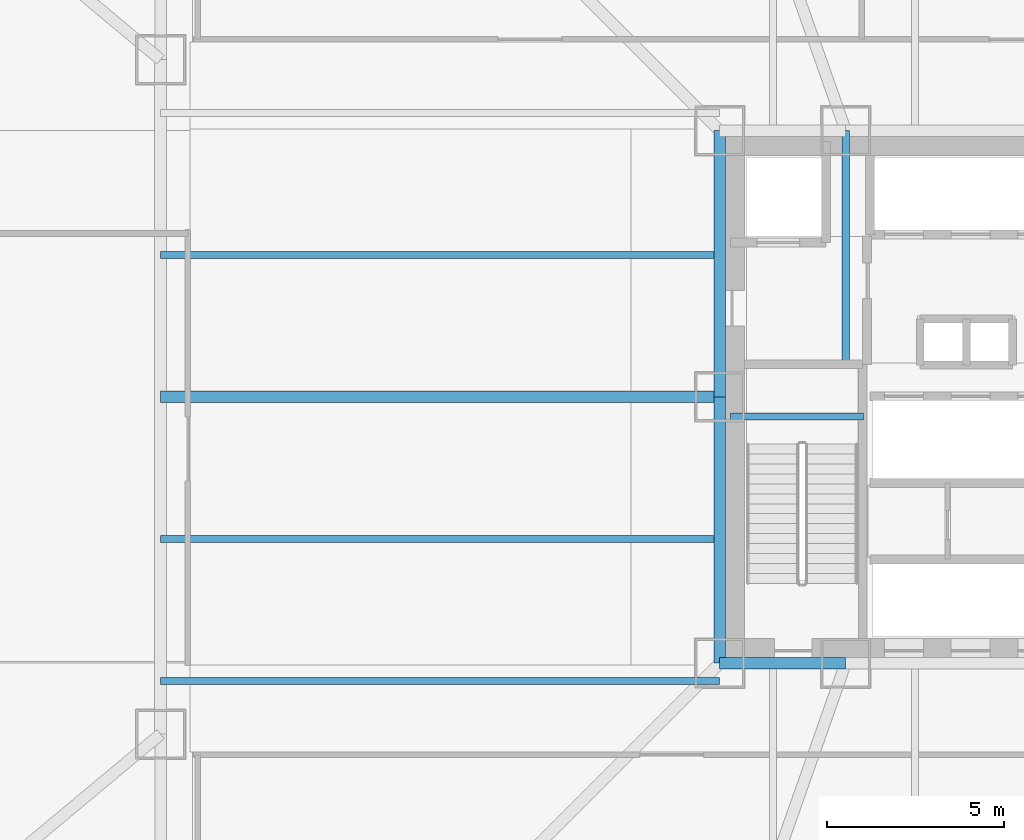
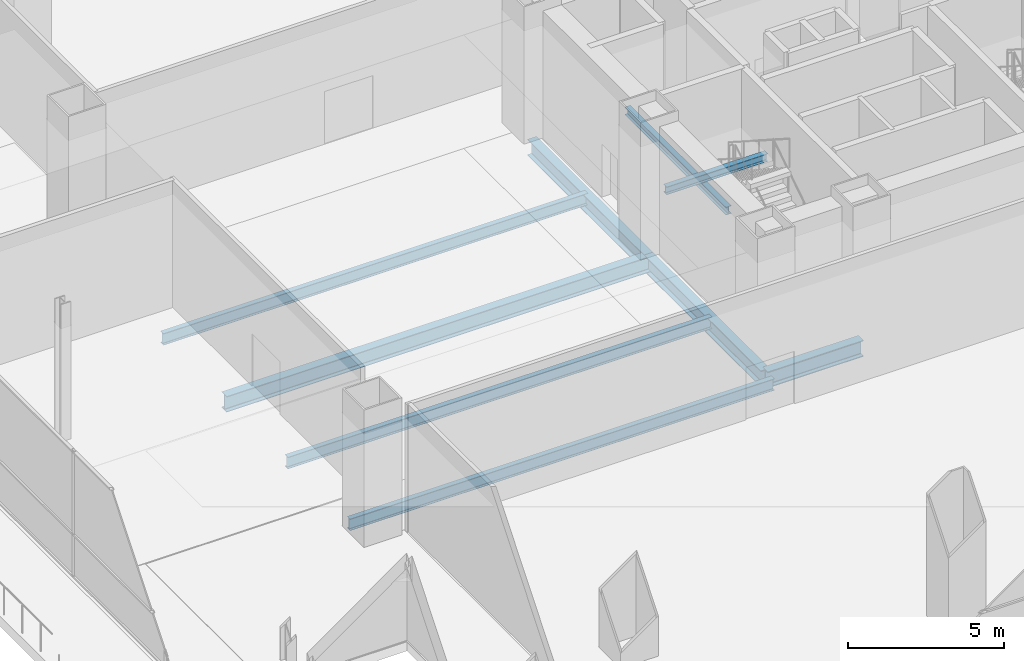
# One storey, part 8 of 36: 9 beams.
"""IFC4 building model written with IfcOpenShell, lengths in metres."""

from ifc_helpers import new_model, si_unit, direction, frame, origin, origin_2d, place, context, subcontext, project, spatial, i_section, extrude, material, material_profile, profile_set, type_object, element, save


model = new_model("IFC4")

# Units and contexts
model_context = context("Model", 3, precision=1e-05, world=origin(), true_north=direction((0.0, 1.0)))
body_context = subcontext(model_context, "Body", "Model", "MODEL_VIEW")
ifc_project = project(units=[si_unit("LENGTHUNIT", "METRE"), si_unit("AREAUNIT", "SQUARE_METRE"), si_unit("VOLUMEUNIT", "CUBIC_METRE"), si_unit("PLANEANGLEUNIT", "RADIAN"), si_unit("MASSUNIT", "GRAM", prefix="KILO")], contexts=[model_context])

# Site, building, storey
site_placement = place(None, origin())
site = spatial("IfcSite", under=ifc_project, at=site_placement, CompositionType="ELEMENT")
building_placement = place(site_placement, origin())
building = spatial("IfcBuilding", under=site, at=building_placement, Name="Trevonay Congress Spire", CompositionType="ELEMENT")
storey_placement = place(building_placement, frame((0.0, 0.0, 16.199951171875)))
storey = spatial("IfcBuildingStorey", under=building, at=storey_placement, Name="L03", CompositionType="ELEMENT", Elevation=16.199951171875)

# Beams
ifc_material = material(Name="Steel ASTM A572 Grade 50", Category="steel")
ifc_material_profile_1 = material_profile(ifc_material, i_section(OverallWidth=0.324951171875, OverallDepth=0.615966796875, WebThickness=0.013916015625, FlangeThickness=0.021484375, FilletRadius=0.01806640625, at=origin_2d()), Name="W610x174")
ifc_profile_set_1 = profile_set([ifc_material_profile_1], Name="Steel ASTM A572 Grade 50")
beam_type_1 = type_object("IfcBeamType", Name="BM-GIRD-W610X174", PredefinedType="BEAM", material=ifc_profile_set_1)
beam_1_placement = place(storey_placement, frame((-7.5, 0.0, -0.7080078125), z_axis=(-1.0, 0.0, 0.0), x_axis=(0.0, -1.0, 0.0)))
element("IfcBeam", 1, at=beam_1_placement, inside=storey, type_object=beam_type_1, Name="L03 structural beam BM-L03-RAD-WC", PredefinedType="BEAM", context=body_context, shape_type="SweptSolid", body=[
    extrude(i_section(OverallWidth=0.324951171875, OverallDepth=0.615966796875, WebThickness=0.013916015625, FlangeThickness=0.021484375, FilletRadius=0.01806640625, at=origin_2d()), origin(), (0.0, 0.0, 1.0), 15.75),
])
ifc_material_profile_2 = material_profile(ifc_material, i_section(OverallWidth=0.3291015625, OverallDepth=0.635009765625, WebThickness=0.017822265625, FlangeThickness=0.031005859375, FilletRadius=0.01806640625, at=origin_2d()), Name="W610x241")
ifc_profile_set_2 = profile_set([ifc_material_profile_2], Name="Steel ASTM A572 Grade 50")
beam_type_2 = type_object("IfcBeamType", Name="BM-GIRD-W610X241", PredefinedType="BEAM", material=ifc_profile_set_2)
beam_2_placement = place(storey_placement, frame((-7.5, -7.5, -0.717529296875), z_axis=(1.0, 0.0, 0.0), x_axis=(0.0, 1.0, 0.0)))
element("IfcBeam", 2, at=beam_2_placement, inside=storey, type_object=beam_type_2, Name="L03 structural beam BM-L03-CR-S1", PredefinedType="BEAM", context=body_context, shape_type="SweptSolid", body=[
    extrude(i_section(OverallWidth=0.3291015625, OverallDepth=0.635009765625, WebThickness=0.017822265625, FlangeThickness=0.031005859375, FilletRadius=0.01806640625, at=origin_2d()), origin(), (0.0, 0.0, 1.0), 3.550048828125),
])
for number, where, z_axis, x_axis, name in (
    (3, (-7.5, -7.5, -0.717529296875), (0.0, 1.0, 0.0), (-1.0, 0.0, 0.0), "L03 structural beam BM-L03-CR-W1"),
    (4, (-7.5, 0.0, -0.717529296875), (0.0, 1.0, 0.0), (-1.0, 0.0, 0.0), "L03 structural beam BM-L03-CR-W2"),
):
    element("IfcBeam", number, at=place(storey_placement, frame(where, z_axis=z_axis, x_axis=x_axis)), inside=storey, type_object=beam_type_2, Name=name, PredefinedType="BEAM", context=body_context, shape_type="SweptSolid", body=[
        extrude(i_section(OverallWidth=0.3291015625, OverallDepth=0.635009765625, WebThickness=0.017822265625, FlangeThickness=0.031005859375, FilletRadius=0.01806640625, at=origin_2d()), origin(), (0.0, 0.0, 1.0), 7.5),
    ])
ifc_material_profile_3 = material_profile(ifc_material, i_section(OverallWidth=0.18994140625, OverallDepth=0.45703125, WebThickness=0.009033203125, FlangeThickness=0.014404296875, FilletRadius=0.013916015625, at=origin_2d()), Name="W460x74")
ifc_profile_set_3 = profile_set([ifc_material_profile_3], Name="Steel ASTM A572 Grade 50")
beam_type_3 = type_object("IfcBeamType", Name="JS-COMP-W460X74", PredefinedType="JOIST", material=ifc_profile_set_3)
for number, where, z_axis, x_axis, name in (
    (5, (-23.25, -8.0, -0.62841796875), (1.0, 0.0, 0.0), (0.0, 1.0, 0.0), "L03 structural beam JS-L03-WH1"),
    (6, (-23.25, -4.0, -0.62841796875), (1.0, 0.0, 0.0), (0.0, 1.0, 0.0), "L03 structural beam JS-L03-WH2"),
    (7, (-23.25, 4.0, -0.62841796875), (1.0, 0.0, 0.0), (0.0, 1.0, 0.0), "L03 structural beam JS-L03-WH3"),
):
    element("IfcBeam", number, at=place(storey_placement, frame(where, z_axis=z_axis, x_axis=x_axis)), inside=storey, type_object=beam_type_3, Name=name, PredefinedType="JOIST", context=body_context, shape_type="SweptSolid", body=[
        extrude(i_section(OverallWidth=0.18994140625, OverallDepth=0.45703125, WebThickness=0.009033203125, FlangeThickness=0.014404296875, FilletRadius=0.013916015625, at=origin_2d()), origin(), (0.0, 0.0, 1.0), 15.75),
    ])
ifc_material_profile_4 = material_profile(ifc_material, i_section(OverallWidth=0.2041015625, OverallDepth=0.305908203125, WebThickness=0.008544921875, FlangeThickness=0.0146484375, FilletRadius=0.010986328125, at=origin_2d()), Name="W310x67")
ifc_profile_set_4 = profile_set([ifc_material_profile_4], Name="Steel ASTM A572 Grade 50")
beam_type_4 = type_object("IfcBeamType", Name="LN-CORE-W310X67", PredefinedType="LINTEL", material=ifc_profile_set_4)
beam_3_placement = place(storey_placement, frame((-3.949951171875, 1.0, -0.552978515625), z_axis=(0.0, 1.0, 0.0), x_axis=(-1.0, 0.0, 0.0)))
element("IfcBeam", 8, at=beam_3_placement, inside=storey, type_object=beam_type_4, Name="L03 structural beam LIN-L03-W", PredefinedType="LINTEL", context=body_context, shape_type="SweptSolid", body=[
    extrude(i_section(OverallWidth=0.2041015625, OverallDepth=0.305908203125, WebThickness=0.008544921875, FlangeThickness=0.0146484375, FilletRadius=0.010986328125, at=origin_2d()), origin(), (0.0, 0.0, 1.0), 6.5),
])
beam_4_placement = place(storey_placement, frame((-7.199951171875, -0.550048828125, 2.34716796875), z_axis=(1.0, 0.0, 0.0), x_axis=(0.0, 1.0, 0.0)))
element("IfcBeam", 9, at=beam_4_placement, inside=storey, type_object=beam_type_4, Name="L03 structural beam BM-L03-HL-ST1", PredefinedType="LINTEL", context=body_context, shape_type="SweptSolid", body=[
    extrude(i_section(OverallWidth=0.2041015625, OverallDepth=0.305908203125, WebThickness=0.008544921875, FlangeThickness=0.0146484375, FilletRadius=0.010986328125, at=origin_2d()), origin(), (0.0, 0.0, 1.0), 3.75),
])

save(model, "model.ifc")
